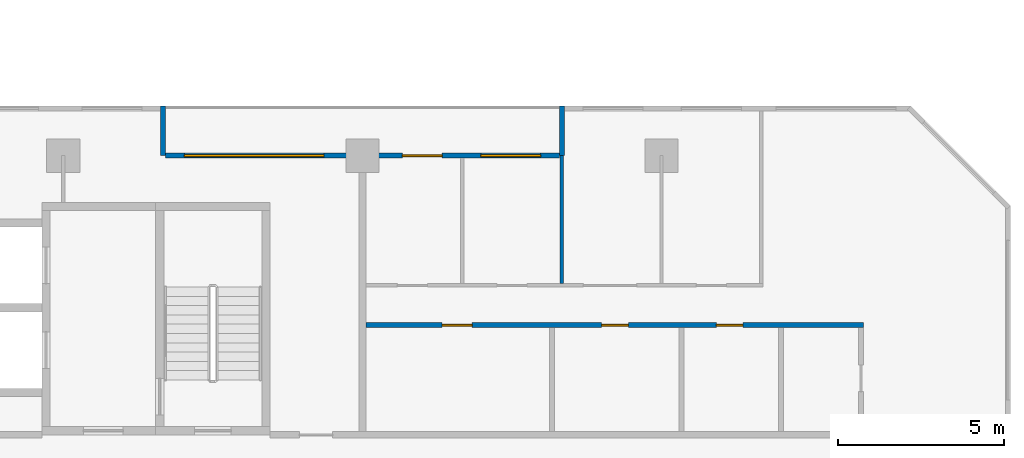
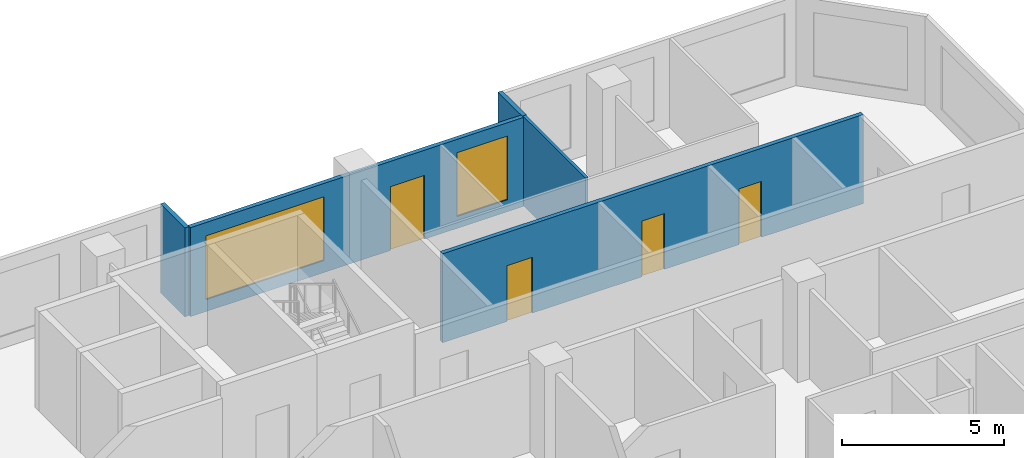
# One storey, part 8 of 15: 5 walls, 4 doors, 2 windows, 6 openings.
"""IFC4 building model written with IfcOpenShell, lengths in metres."""

from ifc_helpers import new_model, si_unit, direction, frame, frame_2d, origin, place, context, subcontext, project, spatial, rectangle, extrude, material, layer, layer_set, type_object, element, fill, save


model = new_model("IFC4")

# Units and contexts
model_context = context("Model", 3, precision=1e-05, world=origin(), true_north=direction((0.0, 1.0)))
body_context = subcontext(model_context, "Body", "Model", "MODEL_VIEW")
ifc_project = project(units=[si_unit("LENGTHUNIT", "METRE"), si_unit("AREAUNIT", "SQUARE_METRE"), si_unit("VOLUMEUNIT", "CUBIC_METRE"), si_unit("PLANEANGLEUNIT", "RADIAN"), si_unit("MASSUNIT", "GRAM", prefix="KILO")], contexts=[model_context])

# Site, building, storey
site_placement = place(None, origin())
site = spatial("IfcSite", under=ifc_project, at=site_placement, CompositionType="ELEMENT")
building_placement = place(site_placement, origin())
building = spatial("IfcBuilding", under=site, at=building_placement, Name="Chenar Terraces", CompositionType="ELEMENT")
storey_placement = place(building_placement, frame((0.0, 0.0, 125.64990234375)))
storey = spatial("IfcBuildingStorey", under=building, at=storey_placement, Name="L29", CompositionType="ELEMENT", Elevation=125.64990234375)

# Wall, openings, windows, door
ifc_material_1 = material(Name="Aluminium framed glazing", Category="aluminium")
ifc_layer_1 = layer(ifc_material_1, 0.14990234375)
ifc_layer_set_1 = layer_set([ifc_layer_1], Name="Aluminium framed glazing")
wall_type_1 = type_object("IfcWallType", Name="Glazed loggia back wall 150", PredefinedType="SOLIDWALL", material=ifc_layer_set_1)
wall_1_placement = place(storey_placement, frame((59.925048828125, 24.0, 0.0), z_axis=(0.0, 0.0, 1.0), x_axis=(-1.0, 0.0, 0.0)))
wall_1 = element("IfcWall", 1, at=wall_1_placement, inside=storey, type_object=wall_type_1, Name="Glazed loggia back wall", PredefinedType="SOLIDWALL", context=body_context, shape_type="SweptSolid", body=[
    extrude(rectangle(XDim=11.85009765625, YDim=0.14990234375, at=frame_2d((5.925048828125, 0.0))), origin(), (0.0, 0.0, 1.0), 3.35009765625),
])
opening_1_placement = place(wall_1_placement, frame((0.5625, 0.0, 0.449951171875)))
opening_1 = element("IfcOpeningElement", 2, at=opening_1_placement, cuts=wall_1, Name="Opening W180x240", PredefinedType="OPENING", context=body_context, shape_type="SweptSolid", body=[
    extrude(rectangle(XDim=1.800048828125, YDim=2.39990234375, at=frame_2d((0.89990234375, 1.199951171875))), frame((0.0, 0.0849609375, 0.0), z_axis=(0.0, -1.0, 0.0), x_axis=(1.0, 0.0, 0.0)), (0.0, 0.0, 1.0), 0.169921875),
])
opening_2_placement = place(wall_1_placement, frame((3.52490234375, 0.0, 0.0)))
opening_2 = element("IfcOpeningElement", 3, at=opening_2_placement, cuts=wall_1, Name="Opening DL29-G1", PredefinedType="OPENING", context=body_context, shape_type="SweptSolid", body=[
    extrude(rectangle(XDim=1.199951171875, YDim=2.39990234375, at=frame_2d((0.60009765625, 1.199951171875))), frame((0.0, 0.0849609375, 0.0), z_axis=(0.0, -1.0, 0.0), x_axis=(1.0, 0.0, 0.0)), (0.0, 0.0, 1.0), 0.169921875),
])
opening_3_placement = place(wall_1_placement, frame((7.08740234375, 0.0, 0.449951171875)))
opening_3 = element("IfcOpeningElement", 4, at=opening_3_placement, cuts=wall_1, Name="Opening W420x240", PredefinedType="OPENING", context=body_context, shape_type="SweptSolid", body=[
    extrude(rectangle(XDim=4.199951171875, YDim=2.39990234375, at=frame_2d((2.10009765625, 1.199951171875))), frame((0.0, 0.0849609375, 0.0), z_axis=(0.0, -1.0, 0.0), x_axis=(1.0, 0.0, 0.0)), (0.0, 0.0, 1.0), 0.169921875),
])
ifc_material_2 = material(Name="Low emissivity double glazing, aluminium frame", Category="aluminium")
window_type_1 = type_object("IfcWindowType", Name="Fixed light 1800 x 2400", PartitioningType="SINGLE_PANEL", PredefinedType="WINDOW", material=ifc_material_2)
window_1_placement = place(opening_1_placement, origin())
window_1 = element("IfcWindow", 5, at=window_1_placement, inside=storey, type_object=window_type_1, Name="Window", OverallHeight=2.39990234375, OverallWidth=1.800048828125, PartitioningType="SINGLE_PANEL", PredefinedType="WINDOW", context=body_context, shape_type="SweptSolid", body=[
    extrude(rectangle(XDim=1.800048828125, YDim=2.39990234375, at=frame_2d((0.89990234375, 1.199951171875))), frame((0.0, 0.030029296875, 0.0), z_axis=(0.0, -1.0, 0.0), x_axis=(1.0, 0.0, 0.0)), (0.0, 0.0, 1.0), 0.06005859375),
])
fill(opening_1, window_1)
ifc_material_3 = material(Name="Low emissivity double glazing, aluminium frame", Category="aluminium")
window_type_2 = type_object("IfcWindowType", Name="Fixed light 4200 x 2400", PartitioningType="SINGLE_PANEL", PredefinedType="WINDOW", material=ifc_material_3)
window_2_placement = place(opening_3_placement, origin())
window_2 = element("IfcWindow", 6, at=window_2_placement, inside=storey, type_object=window_type_2, Name="Window", OverallHeight=2.39990234375, OverallWidth=4.199951171875, PartitioningType="SINGLE_PANEL", PredefinedType="WINDOW", context=body_context, shape_type="SweptSolid", body=[
    extrude(rectangle(XDim=4.199951171875, YDim=2.39990234375, at=frame_2d((2.10009765625, 1.199951171875))), frame((0.0, 0.030029296875, 0.0), z_axis=(0.0, -1.0, 0.0), x_axis=(1.0, 0.0, 0.0)), (0.0, 0.0, 1.0), 0.06005859375),
])
fill(opening_3, window_2)
ifc_material_4 = material(Name="Low emissivity double glazing, aluminium frame", Category="aluminium")
door_type_1 = type_object("IfcDoorType", Name="Loggia glazed double door 1200 x 2400", OperationType="DOUBLE_DOOR_SINGLE_SWING", PredefinedType="DOOR", material=ifc_material_4)
door_1_placement = place(opening_2_placement, frame((1.199951171875, 0.0, 0.0), z_axis=(0.0, 0.0, 1.0), x_axis=(-1.0, 0.0, 0.0)))
door_1 = element("IfcDoor", 7, at=door_1_placement, inside=storey, type_object=door_type_1, Name="Loggia glazed door", OperationType="DOUBLE_DOOR_SINGLE_SWING", OverallHeight=2.39990234375, OverallWidth=1.199951171875, PredefinedType="DOOR", context=body_context, shape_type="SweptSolid", body=[
    extrude(rectangle(XDim=1.199951171875, YDim=2.39990234375, at=frame_2d((0.60009765625, 1.199951171875))), frame((0.0, 0.02490234375, 0.0), z_axis=(0.0, -1.0, 0.0), x_axis=(1.0, 0.0, 0.0)), (0.0, 0.0, 1.0), 0.050048828125),
])
fill(opening_2, door_1)

# Walls
ifc_material_5 = material(Name="Gypsum board on steel studs", Category="steel")
ifc_layer_2 = layer(ifc_material_5, 0.10009765625)
ifc_layer_set_2 = layer_set([ifc_layer_2], Name="Gypsum board on steel studs")
wall_type_2 = type_object("IfcWallType", Name="Gypsum partition 100", PredefinedType="PARTITIONING", material=ifc_layer_set_2)
wall_2_placement = place(storey_placement, frame((60.0, 20.14990234375, 0.0), z_axis=(0.0, 0.0, 1.0), x_axis=(0.0, 1.0, 0.0)))
element("IfcWall", 8, at=wall_2_placement, inside=storey, type_object=wall_type_2, Name="Partition L29-088", PredefinedType="PARTITIONING", context=body_context, shape_type="SweptSolid", body=[
    extrude(rectangle(XDim=3.85009765625, YDim=0.10009765625, at=frame_2d((1.925048828125, 0.0))), origin(), (0.0, 0.0, 1.0), 3.35009765625),
])
ifc_material_6 = material(Name="Terracotta cladding on insulated backing", Category="masonry")
ifc_layer_3 = layer(ifc_material_6, 0.14990234375)
ifc_layer_set_3 = layer_set([ifc_layer_3], Name="Terracotta cladding on insulated backing")
wall_type_3 = type_object("IfcWallType", Name="Loggia return wall 150", PredefinedType="SOLIDWALL", material=ifc_layer_set_3)
for number, where, z_axis, x_axis, name in (
    (9, (60.0, 25.5, 0.0), (0.0, 0.0, 1.0), (0.0, -1.0, 0.0), "Loggia return wall"),
    (10, (48.0, 25.5, 0.0), (0.0, 0.0, 1.0), (0.0, -1.0, 0.0), "Loggia return wall"),
):
    element("IfcWall", number, at=place(storey_placement, frame(where, z_axis=z_axis, x_axis=x_axis)), inside=storey, type_object=wall_type_3, Name=name, PredefinedType="SOLIDWALL", context=body_context, shape_type="SweptSolid", body=[
        extrude(rectangle(XDim=1.5, YDim=0.14990234375, at=frame_2d((0.75, 0.0))), origin(), (0.0, 0.0, 1.0), 3.35009765625),
    ])

# Wall, openings, doors
ifc_material_7 = material(Name="Moisture-resistant gypsum board on steel studs", Category="steel")
ifc_layer_4 = layer(ifc_material_7, 0.14990234375)
ifc_layer_set_4 = layer_set([ifc_layer_4], Name="Moisture-resistant gypsum board on steel studs")
wall_type_4 = type_object("IfcWallType", Name="Wet-room partition 150", PredefinedType="PARTITIONING", material=ifc_layer_set_4)
wall_3_placement = place(storey_placement, frame((54.10009765625, 18.89990234375, 0.0), z_axis=(0.0, 0.0, 1.0), x_axis=(1.0, 0.0, 0.0)))
wall_3 = element("IfcWall", 11, at=wall_3_placement, inside=storey, type_object=wall_type_4, Name="Partition L29-080", PredefinedType="PARTITIONING", context=body_context, shape_type="SweptSolid", body=[
    extrude(rectangle(XDim=14.974853515625, YDim=0.14990234375, at=frame_2d((7.4873046875, 0.0))), origin(), (0.0, 0.0, 1.0), 3.35009765625),
])
opening_4_placement = place(wall_3_placement, frame((2.300048828125, 0.0, 0.0)))
opening_4 = element("IfcOpeningElement", 12, at=opening_4_placement, cuts=wall_3, Name="Opening DL29-7", PredefinedType="OPENING", context=body_context, shape_type="SweptSolid", body=[
    extrude(rectangle(XDim=0.89990234375, YDim=2.10009765625, at=frame_2d((0.449951171875, 1.050048828125))), frame((0.0, 0.0849609375, 0.0), z_axis=(0.0, -1.0, 0.0), x_axis=(1.0, 0.0, 0.0)), (0.0, 0.0, 1.0), 0.169921875),
])
opening_5_placement = place(wall_3_placement, frame((7.10009765625, 0.0, 0.0)))
opening_5 = element("IfcOpeningElement", 13, at=opening_5_placement, cuts=wall_3, Name="Opening DL29-11", PredefinedType="OPENING", context=body_context, shape_type="SweptSolid", body=[
    extrude(rectangle(XDim=0.800048828125, YDim=2.10009765625, at=frame_2d((0.39990234375, 1.050048828125))), frame((0.0, 0.0849609375, 0.0), z_axis=(0.0, -1.0, 0.0), x_axis=(1.0, 0.0, 0.0)), (0.0, 0.0, 1.0), 0.169921875),
])
opening_6_placement = place(wall_3_placement, frame((10.550048828125, 0.0, 0.0)))
opening_6 = element("IfcOpeningElement", 14, at=opening_6_placement, cuts=wall_3, Name="Opening DL29-12", PredefinedType="OPENING", context=body_context, shape_type="SweptSolid", body=[
    extrude(rectangle(XDim=0.800048828125, YDim=2.10009765625, at=frame_2d((0.39990234375, 1.050048828125))), frame((0.0, 0.0849609375, 0.0), z_axis=(0.0, -1.0, 0.0), x_axis=(1.0, 0.0, 0.0)), (0.0, 0.0, 1.0), 0.169921875),
])
ifc_material_8 = material(Name="Veneered timber door leaf", Category="wood")
door_type_2 = type_object("IfcDoorType", Name="Door 800 x 2100", OperationType="SINGLE_SWING_LEFT", PredefinedType="DOOR", material=ifc_material_8)
door_2_placement = place(opening_5_placement, frame((0.800048828125, 0.0, 0.0), z_axis=(0.0, 0.0, 1.0), x_axis=(-1.0, 0.0, 0.0)))
door_2 = element("IfcDoor", 15, at=door_2_placement, inside=storey, type_object=door_type_2, Name="Door DL29-11", OperationType="SINGLE_SWING_RIGHT", OverallHeight=2.10009765625, OverallWidth=0.800048828125, PredefinedType="DOOR", context=body_context, shape_type="SweptSolid", body=[
    extrude(rectangle(XDim=0.800048828125, YDim=2.10009765625, at=frame_2d((0.39990234375, 1.050048828125))), frame((0.0, 0.02490234375, 0.0), z_axis=(0.0, -1.0, 0.0), x_axis=(1.0, 0.0, 0.0)), (0.0, 0.0, 1.0), 0.050048828125),
])
fill(opening_5, door_2)
door_3_placement = place(opening_6_placement, frame((0.800048828125, 0.0, 0.0), z_axis=(0.0, 0.0, 1.0), x_axis=(-1.0, 0.0, 0.0)))
door_3 = element("IfcDoor", 16, at=door_3_placement, inside=storey, type_object=door_type_2, Name="Door DL29-12", OperationType="SINGLE_SWING_RIGHT", OverallHeight=2.10009765625, OverallWidth=0.800048828125, PredefinedType="DOOR", context=body_context, shape_type="SweptSolid", body=[
    extrude(rectangle(XDim=0.800048828125, YDim=2.10009765625, at=frame_2d((0.39990234375, 1.050048828125))), frame((0.0, 0.02490234375, 0.0), z_axis=(0.0, -1.0, 0.0), x_axis=(1.0, 0.0, 0.0)), (0.0, 0.0, 1.0), 0.050048828125),
])
fill(opening_6, door_3)
ifc_material_9 = material(Name="Veneered timber door leaf", Category="wood")
door_type_3 = type_object("IfcDoorType", Name="Door 900 x 2100", OperationType="SINGLE_SWING_LEFT", PredefinedType="DOOR", material=ifc_material_9)
door_4_placement = place(opening_4_placement, frame((0.89990234375, 0.0, 0.0), z_axis=(0.0, 0.0, 1.0), x_axis=(-1.0, 0.0, 0.0)))
door_4 = element("IfcDoor", 17, at=door_4_placement, inside=storey, type_object=door_type_3, Name="Door DL29-7", OperationType="SINGLE_SWING_RIGHT", OverallHeight=2.10009765625, OverallWidth=0.89990234375, PredefinedType="DOOR", context=body_context, shape_type="SweptSolid", body=[
    extrude(rectangle(XDim=0.89990234375, YDim=2.10009765625, at=frame_2d((0.449951171875, 1.050048828125))), frame((0.0, 0.02490234375, 0.0), z_axis=(0.0, -1.0, 0.0), x_axis=(1.0, 0.0, 0.0)), (0.0, 0.0, 1.0), 0.050048828125),
])
fill(opening_4, door_4)

save(model, "model.ifc")
